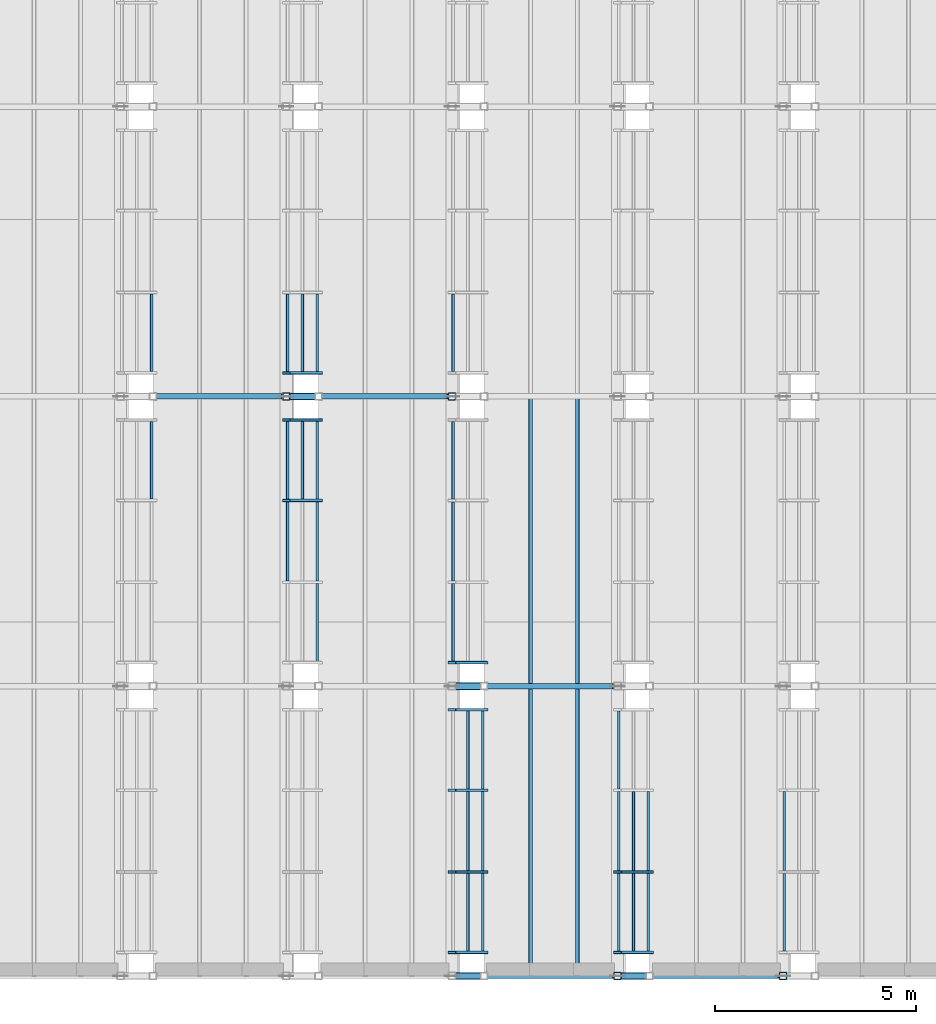
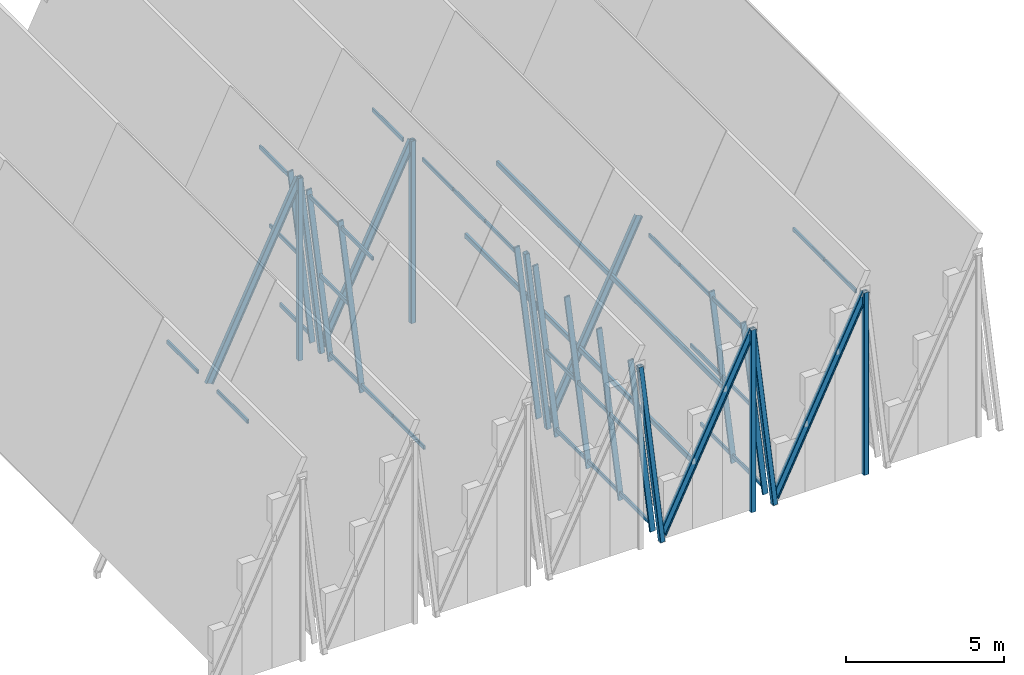
# One storey, part 3 of 28: 55 members, 9 elements without a shape of their own.
"""IFC4 building model written with IfcOpenShell, lengths in metres."""

from ifc_helpers import new_model, si_unit, direction, frame, origin, origin_2d, place, context, subcontext, project, spatial, hollow_rectangle, i_section, extrude, material, material_profile, profile_set, type_object, element, aggregate, save


model = new_model("IFC4")

# Units and contexts
model_context = context("Model", 3, precision=1e-05, world=origin(), true_north=direction((0.0, 1.0)))
body_context = subcontext(model_context, "Body", "Model", "MODEL_VIEW")
ifc_project = project(units=[si_unit("LENGTHUNIT", "METRE"), si_unit("AREAUNIT", "SQUARE_METRE"), si_unit("VOLUMEUNIT", "CUBIC_METRE"), si_unit("PLANEANGLEUNIT", "RADIAN"), si_unit("MASSUNIT", "GRAM", prefix="KILO")], contexts=[model_context])

# Site, building, storey
site_placement = place(None, origin())
site = spatial("IfcSite", under=ifc_project, at=site_placement, CompositionType="ELEMENT")
building_placement = place(site_placement, origin())
building = spatial("IfcBuilding", under=site, at=building_placement, Name="Bramveld Media Centre", CompositionType="ELEMENT")
storey_placement = place(building_placement, frame((0.0, 0.0, 33.89990234375)))
storey = spatial("IfcBuildingStorey", under=building, at=storey_placement, Name="ROOF", CompositionType="ELEMENT", Elevation=33.89990234375)

# Curtain wall, members
ifc_material_1 = material(Name="Thermally broken anodized bronze aluminium unitized curtain wall with solar-control triple glazing", Category="aluminium")
curtain_wall_type = type_object("IfcCurtainWallType", Name="CW-CRN-6100x6941", PredefinedType="NOTDEFINED", material=ifc_material_1)
curtain_wall_1_placement = place(storey_placement, origin())
curtain_wall_1 = element("IfcCurtainWall", 1, at=curtain_wall_1_placement, inside=storey, type_object=curtain_wall_type, Name="V7 crown clerestory B3-S2", PredefinedType="NOTDEFINED")
ifc_material_2 = material(Name="Thermally broken anodized bronze aluminium EN AW-6063 T6 curtain-wall framing", Category="aluminium")
ifc_material_profile_1 = material_profile(ifc_material_2, hollow_rectangle(XDim=0.070068359375, YDim=0.199951171875, WallThickness=0.00439453125, InnerFilletRadius=0.00439453125, OuterFilletRadius=0.009033203125, at=origin_2d()), Name="AL-MULL 70x200")
ifc_profile_set_1 = profile_set([ifc_material_profile_1], Name="Thermally broken anodized bronze aluminium EN AW-6063 T6 curtain-wall framing")
member_type_1 = type_object("IfcMemberType", Name="CW-MULL-SLP", PredefinedType="MULLION", material=ifc_profile_set_1)
member_1_placement = place(storey_placement, frame((143.54296875, 95.0166015625, -0.02001953125), z_axis=(-0.115263574492, 0.0, 0.993334942703), x_axis=(0.0, -1.0, 0.0)))
member_1 = element("IfcMember", 2, at=member_1_placement, type_object=member_type_1, Name="CW-CR-6169 sloped mullion 3", PredefinedType="MULLION", context=body_context, shape_type="SweptSolid", body=[
    extrude(hollow_rectangle(XDim=0.070068359375, YDim=0.199951171875, WallThickness=0.00439453125, InnerFilletRadius=0.00439453125, OuterFilletRadius=0.009033203125, at=origin_2d()), origin(), (0.0, 0.0, 1.0), 6.94091796875),
])
member_2_placement = place(storey_placement, frame((143.54296875, 97.014892578125, -0.02001953125), z_axis=(-0.115263574492, 0.0, 0.993334942703), x_axis=(0.0, -1.0, 0.0)))
member_2 = element("IfcMember", 3, at=member_2_placement, type_object=member_type_1, Name="CW-CR-6169 sloped mullion 4", PredefinedType="MULLION", context=body_context, shape_type="SweptSolid", body=[
    extrude(hollow_rectangle(XDim=0.070068359375, YDim=0.199951171875, WallThickness=0.00439453125, InnerFilletRadius=0.00439453125, OuterFilletRadius=0.009033203125, at=origin_2d()), origin(), (0.0, 0.0, 1.0), 6.94091796875),
])

# Curtain wall, member
curtain_wall_2_placement = place(storey_placement, origin())
curtain_wall_2 = element("IfcCurtainWall", 4, at=curtain_wall_2_placement, inside=storey, type_object=curtain_wall_type, Name="V7 crown clerestory B3-S3", PredefinedType="NOTDEFINED")
member_3_placement = place(storey_placement, frame((143.54296875, 98.18505859375, -0.02001953125), z_axis=(-0.115263574492, 0.0, 0.993334942703), x_axis=(0.0, -1.0, 0.0)))
member_3 = element("IfcMember", 5, at=member_3_placement, type_object=member_type_1, Name="CW-CR-6169 sloped mullion 1", PredefinedType="MULLION", context=body_context, shape_type="SweptSolid", body=[
    extrude(hollow_rectangle(XDim=0.070068359375, YDim=0.199951171875, WallThickness=0.00439453125, InnerFilletRadius=0.00439453125, OuterFilletRadius=0.009033203125, at=origin_2d()), origin(), (0.0, 0.0, 1.0), 6.94091796875),
])

# Curtain wall, members
curtain_wall_3_placement = place(storey_placement, origin())
curtain_wall_3 = element("IfcCurtainWall", 6, at=curtain_wall_3_placement, inside=storey, type_object=curtain_wall_type, Name="V7 crown clerestory B4-S1", PredefinedType="NOTDEFINED")
member_4_placement = place(storey_placement, frame((147.656982421875, 83.784912109375, -0.02001953125), z_axis=(-0.115228868081, 0.0, 0.993338969315), x_axis=(0.0, -1.0, 0.0)))
member_4 = element("IfcMember", 7, at=member_4_placement, type_object=member_type_1, Name="CW-CR-6169 sloped mullion 1", PredefinedType="MULLION", context=body_context, shape_type="SweptSolid", body=[
    extrude(hollow_rectangle(XDim=0.070068359375, YDim=0.199951171875, WallThickness=0.00439453125, InnerFilletRadius=0.00439453125, OuterFilletRadius=0.009033203125, at=origin_2d()), origin(), (0.0, 0.0, 1.0), 6.94091796875),
])
member_5_placement = place(storey_placement, frame((147.656982421875, 85.783203125, -0.02001953125), z_axis=(-0.115228868081, 0.0, 0.993338969315), x_axis=(0.0, -1.0, 0.0)))
member_5 = element("IfcMember", 8, at=member_5_placement, type_object=member_type_1, Name="CW-CR-6169 sloped mullion 2", PredefinedType="MULLION", context=body_context, shape_type="SweptSolid", body=[
    extrude(hollow_rectangle(XDim=0.070068359375, YDim=0.199951171875, WallThickness=0.00439453125, InnerFilletRadius=0.00439453125, OuterFilletRadius=0.009033203125, at=origin_2d()), origin(), (0.0, 0.0, 1.0), 6.94091796875),
])
member_6_placement = place(storey_placement, frame((147.656982421875, 87.816650390625, -0.02001953125), z_axis=(-0.115228868081, 0.0, 0.993338969315), x_axis=(0.0, -1.0, 0.0)))
member_6 = element("IfcMember", 9, at=member_6_placement, type_object=member_type_1, Name="CW-CR-6169 sloped mullion 3", PredefinedType="MULLION", context=body_context, shape_type="SweptSolid", body=[
    extrude(hollow_rectangle(XDim=0.070068359375, YDim=0.199951171875, WallThickness=0.00439453125, InnerFilletRadius=0.00439453125, OuterFilletRadius=0.009033203125, at=origin_2d()), origin(), (0.0, 0.0, 1.0), 6.94091796875),
])
member_7_placement = place(storey_placement, frame((147.656982421875, 89.81494140625, -0.02001953125), z_axis=(-0.115228868081, 0.0, 0.993338969315), x_axis=(0.0, -1.0, 0.0)))
member_7 = element("IfcMember", 10, at=member_7_placement, type_object=member_type_1, Name="CW-CR-6169 sloped mullion 4", PredefinedType="MULLION", context=body_context, shape_type="SweptSolid", body=[
    extrude(hollow_rectangle(XDim=0.070068359375, YDim=0.199951171875, WallThickness=0.00439453125, InnerFilletRadius=0.00439453125, OuterFilletRadius=0.009033203125, at=origin_2d()), origin(), (0.0, 0.0, 1.0), 6.94091796875),
])

# Curtain wall, member
curtain_wall_4_placement = place(storey_placement, origin())
curtain_wall_4 = element("IfcCurtainWall", 11, at=curtain_wall_4_placement, inside=storey, type_object=curtain_wall_type, Name="V7 crown clerestory B4-S2", PredefinedType="NOTDEFINED")
member_8_placement = place(storey_placement, frame((147.656982421875, 90.985107421875, -0.02001953125), z_axis=(-0.115228868081, 0.0, 0.993338969315), x_axis=(0.0, -1.0, 0.0)))
member_8 = element("IfcMember", 12, at=member_8_placement, type_object=member_type_1, Name="CW-CR-6169 sloped mullion 1", PredefinedType="MULLION", context=body_context, shape_type="SweptSolid", body=[
    extrude(hollow_rectangle(XDim=0.070068359375, YDim=0.199951171875, WallThickness=0.00439453125, InnerFilletRadius=0.00439453125, OuterFilletRadius=0.009033203125, at=origin_2d()), origin(), (0.0, 0.0, 1.0), 6.94091796875),
])

# Curtain wall, members
curtain_wall_5_placement = place(storey_placement, origin())
curtain_wall_5 = element("IfcCurtainWall", 13, at=curtain_wall_5_placement, inside=storey, type_object=curtain_wall_type, Name="V7 crown clerestory B5-S1", PredefinedType="NOTDEFINED")
member_9_placement = place(storey_placement, frame((151.771484375, 83.784912109375, -0.02001953125), z_axis=(-0.115263574492, 0.0, 0.993334942703), x_axis=(0.0, -1.0, 0.0)))
member_9 = element("IfcMember", 14, at=member_9_placement, type_object=member_type_1, Name="CW-CR-6169 sloped mullion 1", PredefinedType="MULLION", context=body_context, shape_type="SweptSolid", body=[
    extrude(hollow_rectangle(XDim=0.070068359375, YDim=0.199951171875, WallThickness=0.00439453125, InnerFilletRadius=0.00439453125, OuterFilletRadius=0.009033203125, at=origin_2d()), origin(), (0.0, 0.0, 1.0), 6.94091796875),
])
member_10_placement = place(storey_placement, frame((151.771484375, 85.783203125, -0.02001953125), z_axis=(-0.115263574492, 0.0, 0.993334942703), x_axis=(0.0, -1.0, 0.0)))
member_10 = element("IfcMember", 15, at=member_10_placement, type_object=member_type_1, Name="CW-CR-6169 sloped mullion 2", PredefinedType="MULLION", context=body_context, shape_type="SweptSolid", body=[
    extrude(hollow_rectangle(XDim=0.070068359375, YDim=0.199951171875, WallThickness=0.00439453125, InnerFilletRadius=0.00439453125, OuterFilletRadius=0.009033203125, at=origin_2d()), origin(), (0.0, 0.0, 1.0), 6.94091796875),
])

# Curtain wall, member
curtain_wall_6_placement = place(storey_placement, origin())
curtain_wall_6 = element("IfcCurtainWall", 16, at=curtain_wall_6_placement, inside=storey, type_object=curtain_wall_type, Name="V7 crown clerestory B2-S2", PredefinedType="NOTDEFINED")
ifc_material_3 = material(Name="Thermally broken anodized bronze aluminium EN AW-6063 T6 curtain-wall framing", Category="aluminium")
ifc_material_profile_2 = material_profile(ifc_material_3, hollow_rectangle(XDim=0.070068359375, YDim=0.14990234375, WallThickness=0.00390625, InnerFilletRadius=0.00390625, OuterFilletRadius=0.008056640625, at=origin_2d()), Name="AL-TRAN 70x150")
ifc_profile_set_2 = profile_set([ifc_material_profile_2], Name="Thermally broken anodized bronze aluminium EN AW-6063 T6 curtain-wall framing")
member_type_2 = type_object("IfcMemberType", Name="CW-TRAN-SLP", PredefinedType="USERDEFINED", material=ifc_profile_set_2)
member_11_placement = place(storey_placement, frame((139.396484375, 95.0517578125, 0.255859375), z_axis=(0.0, 1.0, 0.0), x_axis=(-1.0, 0.0, 0.0)))
member_11 = element("IfcMember", 17, at=member_11_placement, type_object=member_type_2, Name="CW-CR-6169 transom 3.1", ObjectType="TRANSOM", PredefinedType="USERDEFINED", context=body_context, shape_type="SweptSolid", body=[
    extrude(hollow_rectangle(XDim=0.070068359375, YDim=0.14990234375, WallThickness=0.00390625, InnerFilletRadius=0.00390625, OuterFilletRadius=0.008056640625, at=origin_2d()), origin(), (0.0, 0.0, 1.0), 1.92822265625),
])
aggregate(curtain_wall_6, [member_11])

curtain_wall_7_placement = place(storey_placement, origin())
curtain_wall_7 = element("IfcCurtainWall", 18, at=curtain_wall_7_placement, inside=storey, type_object=curtain_wall_type, Name="V7 crown clerestory B2-S3", PredefinedType="NOTDEFINED")
member_12_placement = place(storey_placement, frame((139.396484375, 98.219970703125, 0.255859375), z_axis=(0.0, 1.0, 0.0), x_axis=(-1.0, 0.0, 0.0)))
member_12 = element("IfcMember", 19, at=member_12_placement, type_object=member_type_2, Name="CW-CR-6169 transom 1.1", ObjectType="TRANSOM", PredefinedType="USERDEFINED", context=body_context, shape_type="SweptSolid", body=[
    extrude(hollow_rectangle(XDim=0.070068359375, YDim=0.14990234375, WallThickness=0.00390625, InnerFilletRadius=0.00390625, OuterFilletRadius=0.008056640625, at=origin_2d()), origin(), (0.0, 0.0, 1.0), 1.92822265625),
])
aggregate(curtain_wall_7, [member_12])

# Member
member_13_placement = place(storey_placement, frame((143.510986328125, 91.02001953125, 0.255859375), z_axis=(0.0, 1.0, 0.0), x_axis=(-1.0, 0.0, 0.0)))
member_13 = element("IfcMember", 20, at=member_13_placement, type_object=member_type_2, Name="CW-CR-6169 transom 1.1", ObjectType="TRANSOM", PredefinedType="USERDEFINED", context=body_context, shape_type="SweptSolid", body=[
    extrude(hollow_rectangle(XDim=0.070068359375, YDim=0.14990234375, WallThickness=0.00390625, InnerFilletRadius=0.00390625, OuterFilletRadius=0.008056640625, at=origin_2d()), origin(), (0.0, 0.0, 1.0), 1.92822265625),
])

member_14_placement = place(storey_placement, frame((143.510986328125, 93.018310546875, 0.255859375), z_axis=(0.0, 1.0, 0.0), x_axis=(-1.0, 0.0, 0.0)))
member_14 = element("IfcMember", 21, at=member_14_placement, type_object=member_type_2, Name="CW-CR-6169 transom 2.1", ObjectType="TRANSOM", PredefinedType="USERDEFINED", context=body_context, shape_type="SweptSolid", body=[
    extrude(hollow_rectangle(XDim=0.070068359375, YDim=0.14990234375, WallThickness=0.00390625, InnerFilletRadius=0.00390625, OuterFilletRadius=0.008056640625, at=origin_2d()), origin(), (0.0, 0.0, 1.0), 1.96337890625),
])

member_15_placement = place(storey_placement, frame((142.77490234375, 93.018310546875, 6.598876953125), z_axis=(0.0, 1.0, 0.0), x_axis=(-1.0, 0.0, 0.0)))
member_15 = element("IfcMember", 22, at=member_15_placement, type_object=member_type_2, Name="CW-CR-6169 transom 2.3", ObjectType="TRANSOM", PredefinedType="USERDEFINED", context=body_context, shape_type="SweptSolid", body=[
    extrude(hollow_rectangle(XDim=0.070068359375, YDim=0.14990234375, WallThickness=0.00390625, InnerFilletRadius=0.00390625, OuterFilletRadius=0.008056640625, at=origin_2d()), origin(), (0.0, 0.0, 1.0), 1.96337890625),
])

member_16_placement = place(storey_placement, frame((143.510986328125, 95.0517578125, 0.255859375), z_axis=(0.0, 1.0, 0.0), x_axis=(-1.0, 0.0, 0.0)))
member_16 = element("IfcMember", 23, at=member_16_placement, type_object=member_type_2, Name="CW-CR-6169 transom 3.1", ObjectType="TRANSOM", PredefinedType="USERDEFINED", context=body_context, shape_type="SweptSolid", body=[
    extrude(hollow_rectangle(XDim=0.070068359375, YDim=0.14990234375, WallThickness=0.00390625, InnerFilletRadius=0.00390625, OuterFilletRadius=0.008056640625, at=origin_2d()), origin(), (0.0, 0.0, 1.0), 1.92822265625),
])

member_17_placement = place(storey_placement, frame((143.142822265625, 95.0517578125, 3.427490234375), z_axis=(0.0, 1.0, 0.0), x_axis=(-1.0, 0.0, 0.0)))
member_17 = element("IfcMember", 24, at=member_17_placement, type_object=member_type_2, Name="CW-CR-6169 transom 3.2", ObjectType="TRANSOM", PredefinedType="USERDEFINED", context=body_context, shape_type="SweptSolid", body=[
    extrude(hollow_rectangle(XDim=0.070068359375, YDim=0.14990234375, WallThickness=0.00390625, InnerFilletRadius=0.00390625, OuterFilletRadius=0.008056640625, at=origin_2d()), origin(), (0.0, 0.0, 1.0), 1.92822265625),
])

member_18_placement = place(storey_placement, frame((142.77490234375, 95.0517578125, 6.598876953125), z_axis=(0.0, 1.0, 0.0), x_axis=(-1.0, 0.0, 0.0)))
member_18 = element("IfcMember", 25, at=member_18_placement, type_object=member_type_2, Name="CW-CR-6169 transom 3.3", ObjectType="TRANSOM", PredefinedType="USERDEFINED", context=body_context, shape_type="SweptSolid", body=[
    extrude(hollow_rectangle(XDim=0.070068359375, YDim=0.14990234375, WallThickness=0.00390625, InnerFilletRadius=0.00390625, OuterFilletRadius=0.008056640625, at=origin_2d()), origin(), (0.0, 0.0, 1.0), 1.92822265625),
])

aggregate(curtain_wall_1, [member_1, member_2, member_13, member_14, member_15, member_16, member_17, member_18])

member_19_placement = place(storey_placement, frame((143.510986328125, 98.219970703125, 0.255859375), z_axis=(0.0, 1.0, 0.0), x_axis=(-1.0, 0.0, 0.0)))
member_19 = element("IfcMember", 26, at=member_19_placement, type_object=member_type_2, Name="CW-CR-6169 transom 1.1", ObjectType="TRANSOM", PredefinedType="USERDEFINED", context=body_context, shape_type="SweptSolid", body=[
    extrude(hollow_rectangle(XDim=0.070068359375, YDim=0.14990234375, WallThickness=0.00390625, InnerFilletRadius=0.00390625, OuterFilletRadius=0.008056640625, at=origin_2d()), origin(), (0.0, 0.0, 1.0), 1.92822265625),
])

member_20_placement = place(storey_placement, frame((143.142822265625, 98.219970703125, 3.427490234375), z_axis=(0.0, 1.0, 0.0), x_axis=(-1.0, 0.0, 0.0)))
member_20 = element("IfcMember", 27, at=member_20_placement, type_object=member_type_2, Name="CW-CR-6169 transom 1.2", ObjectType="TRANSOM", PredefinedType="USERDEFINED", context=body_context, shape_type="SweptSolid", body=[
    extrude(hollow_rectangle(XDim=0.070068359375, YDim=0.14990234375, WallThickness=0.00390625, InnerFilletRadius=0.00390625, OuterFilletRadius=0.008056640625, at=origin_2d()), origin(), (0.0, 0.0, 1.0), 1.92822265625),
])

member_21_placement = place(storey_placement, frame((142.77490234375, 98.219970703125, 6.598876953125), z_axis=(0.0, 1.0, 0.0), x_axis=(-1.0, 0.0, 0.0)))
member_21 = element("IfcMember", 28, at=member_21_placement, type_object=member_type_2, Name="CW-CR-6169 transom 1.3", ObjectType="TRANSOM", PredefinedType="USERDEFINED", context=body_context, shape_type="SweptSolid", body=[
    extrude(hollow_rectangle(XDim=0.070068359375, YDim=0.14990234375, WallThickness=0.00390625, InnerFilletRadius=0.00390625, OuterFilletRadius=0.008056640625, at=origin_2d()), origin(), (0.0, 0.0, 1.0), 1.92822265625),
])

aggregate(curtain_wall_2, [member_3, member_19, member_20, member_21])

member_22_placement = place(storey_placement, frame((147.625, 83.820068359375, 0.255859375), z_axis=(0.0, 1.0, 0.0), x_axis=(-1.0, 0.0, 0.0)))
member_22 = element("IfcMember", 29, at=member_22_placement, type_object=member_type_2, Name="CW-CR-6169 transom 1.1", ObjectType="TRANSOM", PredefinedType="USERDEFINED", context=body_context, shape_type="SweptSolid", body=[
    extrude(hollow_rectangle(XDim=0.070068359375, YDim=0.14990234375, WallThickness=0.00390625, InnerFilletRadius=0.00390625, OuterFilletRadius=0.008056640625, at=origin_2d()), origin(), (0.0, 0.0, 1.0), 1.92822265625),
])

member_23_placement = place(storey_placement, frame((147.257080078125, 83.820068359375, 3.427490234375), z_axis=(0.0, 1.0, 0.0), x_axis=(-1.0, 0.0, 0.0)))
member_23 = element("IfcMember", 30, at=member_23_placement, type_object=member_type_2, Name="CW-CR-6169 transom 1.2", ObjectType="TRANSOM", PredefinedType="USERDEFINED", context=body_context, shape_type="SweptSolid", body=[
    extrude(hollow_rectangle(XDim=0.070068359375, YDim=0.14990234375, WallThickness=0.00390625, InnerFilletRadius=0.00390625, OuterFilletRadius=0.008056640625, at=origin_2d()), origin(), (0.0, 0.0, 1.0), 1.92822265625),
])

member_24_placement = place(storey_placement, frame((147.625, 85.818359375, 0.255859375), z_axis=(0.0, 1.0, 0.0), x_axis=(-1.0, 0.0, 0.0)))
member_24 = element("IfcMember", 31, at=member_24_placement, type_object=member_type_2, Name="CW-CR-6169 transom 2.1", ObjectType="TRANSOM", PredefinedType="USERDEFINED", context=body_context, shape_type="SweptSolid", body=[
    extrude(hollow_rectangle(XDim=0.070068359375, YDim=0.14990234375, WallThickness=0.00390625, InnerFilletRadius=0.00390625, OuterFilletRadius=0.008056640625, at=origin_2d()), origin(), (0.0, 0.0, 1.0), 1.96337890625),
])

member_25_placement = place(storey_placement, frame((147.257080078125, 85.818359375, 3.427490234375), z_axis=(0.0, 1.0, 0.0), x_axis=(-1.0, 0.0, 0.0)))
member_25 = element("IfcMember", 32, at=member_25_placement, type_object=member_type_2, Name="CW-CR-6169 transom 2.2", ObjectType="TRANSOM", PredefinedType="USERDEFINED", context=body_context, shape_type="SweptSolid", body=[
    extrude(hollow_rectangle(XDim=0.070068359375, YDim=0.14990234375, WallThickness=0.00390625, InnerFilletRadius=0.00390625, OuterFilletRadius=0.008056640625, at=origin_2d()), origin(), (0.0, 0.0, 1.0), 1.96337890625),
])

member_26_placement = place(storey_placement, frame((147.625, 87.851806640625, 0.255859375), z_axis=(0.0, 1.0, 0.0), x_axis=(-1.0, 0.0, 0.0)))
member_26 = element("IfcMember", 33, at=member_26_placement, type_object=member_type_2, Name="CW-CR-6169 transom 3.1", ObjectType="TRANSOM", PredefinedType="USERDEFINED", context=body_context, shape_type="SweptSolid", body=[
    extrude(hollow_rectangle(XDim=0.070068359375, YDim=0.14990234375, WallThickness=0.00390625, InnerFilletRadius=0.00390625, OuterFilletRadius=0.008056640625, at=origin_2d()), origin(), (0.0, 0.0, 1.0), 1.92822265625),
])

member_27_placement = place(storey_placement, frame((147.257080078125, 87.851806640625, 3.427490234375), z_axis=(0.0, 1.0, 0.0), x_axis=(-1.0, 0.0, 0.0)))
member_27 = element("IfcMember", 34, at=member_27_placement, type_object=member_type_2, Name="CW-CR-6169 transom 3.2", ObjectType="TRANSOM", PredefinedType="USERDEFINED", context=body_context, shape_type="SweptSolid", body=[
    extrude(hollow_rectangle(XDim=0.070068359375, YDim=0.14990234375, WallThickness=0.00390625, InnerFilletRadius=0.00390625, OuterFilletRadius=0.008056640625, at=origin_2d()), origin(), (0.0, 0.0, 1.0), 1.92822265625),
])

aggregate(curtain_wall_3, [member_4, member_5, member_6, member_7, member_22, member_23, member_24, member_25, member_26, member_27])

member_28_placement = place(storey_placement, frame((146.88916015625, 91.02001953125, 6.598876953125), z_axis=(0.0, 1.0, 0.0), x_axis=(-1.0, 0.0, 0.0)))
member_28 = element("IfcMember", 35, at=member_28_placement, type_object=member_type_2, Name="CW-CR-6169 transom 1.3", ObjectType="TRANSOM", PredefinedType="USERDEFINED", context=body_context, shape_type="SweptSolid", body=[
    extrude(hollow_rectangle(XDim=0.070068359375, YDim=0.14990234375, WallThickness=0.00390625, InnerFilletRadius=0.00390625, OuterFilletRadius=0.008056640625, at=origin_2d()), origin(), (0.0, 0.0, 1.0), 1.92822265625),
])

member_29_placement = place(storey_placement, frame((146.88916015625, 93.018310546875, 6.598876953125), z_axis=(0.0, 1.0, 0.0), x_axis=(-1.0, 0.0, 0.0)))
member_29 = element("IfcMember", 36, at=member_29_placement, type_object=member_type_2, Name="CW-CR-6169 transom 2.3", ObjectType="TRANSOM", PredefinedType="USERDEFINED", context=body_context, shape_type="SweptSolid", body=[
    extrude(hollow_rectangle(XDim=0.070068359375, YDim=0.14990234375, WallThickness=0.00390625, InnerFilletRadius=0.00390625, OuterFilletRadius=0.008056640625, at=origin_2d()), origin(), (0.0, 0.0, 1.0), 1.96337890625),
])

member_30_placement = place(storey_placement, frame((146.88916015625, 95.0517578125, 6.598876953125), z_axis=(0.0, 1.0, 0.0), x_axis=(-1.0, 0.0, 0.0)))
member_30 = element("IfcMember", 37, at=member_30_placement, type_object=member_type_2, Name="CW-CR-6169 transom 3.3", ObjectType="TRANSOM", PredefinedType="USERDEFINED", context=body_context, shape_type="SweptSolid", body=[
    extrude(hollow_rectangle(XDim=0.070068359375, YDim=0.14990234375, WallThickness=0.00390625, InnerFilletRadius=0.00390625, OuterFilletRadius=0.008056640625, at=origin_2d()), origin(), (0.0, 0.0, 1.0), 1.92822265625),
])

aggregate(curtain_wall_4, [member_8, member_28, member_29, member_30])

# Curtain wall, member
curtain_wall_8_placement = place(storey_placement, origin())
curtain_wall_8 = element("IfcCurtainWall", 38, at=curtain_wall_8_placement, inside=storey, type_object=curtain_wall_type, Name="V7 crown clerestory B4-S3", PredefinedType="NOTDEFINED")
member_31_placement = place(storey_placement, frame((146.88916015625, 98.219970703125, 6.598876953125), z_axis=(0.0, 1.0, 0.0), x_axis=(-1.0, 0.0, 0.0)))
member_31 = element("IfcMember", 39, at=member_31_placement, type_object=member_type_2, Name="CW-CR-6169 transom 1.3", ObjectType="TRANSOM", PredefinedType="USERDEFINED", context=body_context, shape_type="SweptSolid", body=[
    extrude(hollow_rectangle(XDim=0.070068359375, YDim=0.14990234375, WallThickness=0.00390625, InnerFilletRadius=0.00390625, OuterFilletRadius=0.008056640625, at=origin_2d()), origin(), (0.0, 0.0, 1.0), 1.92822265625),
])
aggregate(curtain_wall_8, [member_31])

# Member
member_32_placement = place(storey_placement, frame((151.739501953125, 83.820068359375, 0.255859375), z_axis=(0.0, 1.0, 0.0), x_axis=(-1.0, 0.0, 0.0)))
member_32 = element("IfcMember", 40, at=member_32_placement, type_object=member_type_2, Name="CW-CR-6169 transom 1.1", ObjectType="TRANSOM", PredefinedType="USERDEFINED", context=body_context, shape_type="SweptSolid", body=[
    extrude(hollow_rectangle(XDim=0.070068359375, YDim=0.14990234375, WallThickness=0.00390625, InnerFilletRadius=0.00390625, OuterFilletRadius=0.008056640625, at=origin_2d()), origin(), (0.0, 0.0, 1.0), 1.92822265625),
])

member_33_placement = place(storey_placement, frame((151.371337890625, 83.820068359375, 3.427490234375), z_axis=(0.0, 1.0, 0.0), x_axis=(-1.0, 0.0, 0.0)))
member_33 = element("IfcMember", 41, at=member_33_placement, type_object=member_type_2, Name="CW-CR-6169 transom 1.2", ObjectType="TRANSOM", PredefinedType="USERDEFINED", context=body_context, shape_type="SweptSolid", body=[
    extrude(hollow_rectangle(XDim=0.070068359375, YDim=0.14990234375, WallThickness=0.00390625, InnerFilletRadius=0.00390625, OuterFilletRadius=0.008056640625, at=origin_2d()), origin(), (0.0, 0.0, 1.0), 1.92822265625),
])

member_34_placement = place(storey_placement, frame((151.00341796875, 83.820068359375, 6.598876953125), z_axis=(0.0, 1.0, 0.0), x_axis=(-1.0, 0.0, 0.0)))
member_34 = element("IfcMember", 42, at=member_34_placement, type_object=member_type_2, Name="CW-CR-6169 transom 1.3", ObjectType="TRANSOM", PredefinedType="USERDEFINED", context=body_context, shape_type="SweptSolid", body=[
    extrude(hollow_rectangle(XDim=0.070068359375, YDim=0.14990234375, WallThickness=0.00390625, InnerFilletRadius=0.00390625, OuterFilletRadius=0.008056640625, at=origin_2d()), origin(), (0.0, 0.0, 1.0), 1.92822265625),
])

member_35_placement = place(storey_placement, frame((151.739501953125, 85.818359375, 0.255859375), z_axis=(0.0, 1.0, 0.0), x_axis=(-1.0, 0.0, 0.0)))
member_35 = element("IfcMember", 43, at=member_35_placement, type_object=member_type_2, Name="CW-CR-6169 transom 2.1", ObjectType="TRANSOM", PredefinedType="USERDEFINED", context=body_context, shape_type="SweptSolid", body=[
    extrude(hollow_rectangle(XDim=0.070068359375, YDim=0.14990234375, WallThickness=0.00390625, InnerFilletRadius=0.00390625, OuterFilletRadius=0.008056640625, at=origin_2d()), origin(), (0.0, 0.0, 1.0), 1.96337890625),
])

member_36_placement = place(storey_placement, frame((151.371337890625, 85.818359375, 3.427490234375), z_axis=(0.0, 1.0, 0.0), x_axis=(-1.0, 0.0, 0.0)))
member_36 = element("IfcMember", 44, at=member_36_placement, type_object=member_type_2, Name="CW-CR-6169 transom 2.2", ObjectType="TRANSOM", PredefinedType="USERDEFINED", context=body_context, shape_type="SweptSolid", body=[
    extrude(hollow_rectangle(XDim=0.070068359375, YDim=0.14990234375, WallThickness=0.00390625, InnerFilletRadius=0.00390625, OuterFilletRadius=0.008056640625, at=origin_2d()), origin(), (0.0, 0.0, 1.0), 1.96337890625),
])

member_37_placement = place(storey_placement, frame((151.00341796875, 85.818359375, 6.598876953125), z_axis=(0.0, 1.0, 0.0), x_axis=(-1.0, 0.0, 0.0)))
member_37 = element("IfcMember", 45, at=member_37_placement, type_object=member_type_2, Name="CW-CR-6169 transom 2.3", ObjectType="TRANSOM", PredefinedType="USERDEFINED", context=body_context, shape_type="SweptSolid", body=[
    extrude(hollow_rectangle(XDim=0.070068359375, YDim=0.14990234375, WallThickness=0.00390625, InnerFilletRadius=0.00390625, OuterFilletRadius=0.008056640625, at=origin_2d()), origin(), (0.0, 0.0, 1.0), 1.96337890625),
])

member_38_placement = place(storey_placement, frame((151.00341796875, 87.851806640625, 6.598876953125), z_axis=(0.0, 1.0, 0.0), x_axis=(-1.0, 0.0, 0.0)))
member_38 = element("IfcMember", 46, at=member_38_placement, type_object=member_type_2, Name="CW-CR-6169 transom 3.3", ObjectType="TRANSOM", PredefinedType="USERDEFINED", context=body_context, shape_type="SweptSolid", body=[
    extrude(hollow_rectangle(XDim=0.070068359375, YDim=0.14990234375, WallThickness=0.00390625, InnerFilletRadius=0.00390625, OuterFilletRadius=0.008056640625, at=origin_2d()), origin(), (0.0, 0.0, 1.0), 1.92822265625),
])

aggregate(curtain_wall_5, [member_9, member_10, member_32, member_33, member_34, member_35, member_36, member_37, member_38])

# Curtain wall, members
curtain_wall_9_placement = place(storey_placement, origin())
curtain_wall_9 = element("IfcCurtainWall", 47, at=curtain_wall_9_placement, inside=storey, type_object=curtain_wall_type, Name="V7 crown clerestory B6-S1", PredefinedType="NOTDEFINED")
member_39_placement = place(storey_placement, frame((155.11767578125, 83.820068359375, 6.598876953125), z_axis=(0.0, 1.0, 0.0), x_axis=(-1.0, 0.0, 0.0)))
member_39 = element("IfcMember", 48, at=member_39_placement, type_object=member_type_2, Name="CW-CR-6169 transom 1.3", ObjectType="TRANSOM", PredefinedType="USERDEFINED", context=body_context, shape_type="SweptSolid", body=[
    extrude(hollow_rectangle(XDim=0.070068359375, YDim=0.14990234375, WallThickness=0.00390625, InnerFilletRadius=0.00390625, OuterFilletRadius=0.008056640625, at=origin_2d()), origin(), (0.0, 0.0, 1.0), 1.92822265625),
])
member_40_placement = place(storey_placement, frame((155.11767578125, 85.818359375, 6.598876953125), z_axis=(0.0, 1.0, 0.0), x_axis=(-1.0, 0.0, 0.0)))
member_40 = element("IfcMember", 49, at=member_40_placement, type_object=member_type_2, Name="CW-CR-6169 transom 2.3", ObjectType="TRANSOM", PredefinedType="USERDEFINED", context=body_context, shape_type="SweptSolid", body=[
    extrude(hollow_rectangle(XDim=0.070068359375, YDim=0.14990234375, WallThickness=0.00390625, InnerFilletRadius=0.00390625, OuterFilletRadius=0.008056640625, at=origin_2d()), origin(), (0.0, 0.0, 1.0), 1.96337890625),
])
aggregate(curtain_wall_9, [member_39, member_40])

# Members
ifc_material_4 = material(Name="Steel S355J2H", Category="steel")
ifc_material_profile_3 = material_profile(ifc_material_4, hollow_rectangle(XDim=0.179931640625, YDim=0.179931640625, WallThickness=0.010009765625, InnerFilletRadius=0.010009765625, OuterFilletRadius=0.02001953125, at=origin_2d()), Name="SHS 180x180x10")
ifc_profile_set_3 = profile_set([ifc_material_profile_3], Name="Steel S355J2H")
member_type_3 = type_object("IfcMemberType", Name="MEM-POST-SHS180", PredefinedType="POST", material=ifc_profile_set_3)
for number, where, z_axis, x_axis, name in (
    (50, (142.742919921875, 97.60009765625, -0.0498046875), (0.0, 0.0, 1.0), (1.0, 0.0, 0.0), "CRN-FR-B03-F3 gable kingpost"),
    (51, (146.857177734375, 97.60009765625, -0.0498046875), (0.0, 0.0, 1.0), (1.0, 0.0, 0.0), "CRN-FR-B04-F3 gable kingpost"),
    (52, (150.971435546875, 83.199951171875, -0.0498046875), (0.0, 0.0, 1.0), (1.0, 0.0, 0.0), "CRN-FR-B05-F1 gable kingpost"),
    (53, (155.085693359375, 83.199951171875, -0.0498046875), (0.0, 0.0, 1.0), (1.0, 0.0, 0.0), "CRN-FR-B06-F1 gable kingpost"),
):
    element("IfcMember", number, at=place(storey_placement, frame(where, z_axis=z_axis, x_axis=x_axis)), inside=storey, type_object=member_type_3, Name=name, PredefinedType="POST", context=body_context, shape_type="SweptSolid", body=[
        extrude(hollow_rectangle(XDim=0.179931640625, YDim=0.179931640625, WallThickness=0.010009765625, InnerFilletRadius=0.010009765625, OuterFilletRadius=0.02001953125, at=origin_2d()), origin(), (0.0, 0.0, 1.0), 7.044677734375),
    ])
ifc_material_5 = material(Name="Steel S355J2H", Category="steel")
ifc_material_profile_4 = material_profile(ifc_material_5, hollow_rectangle(XDim=0.10009765625, YDim=0.199951171875, WallThickness=0.008056640625, InnerFilletRadius=0.008056640625, OuterFilletRadius=0.01611328125, at=origin_2d()), Name="RHS 200x100x8")
ifc_profile_set_4 = profile_set([ifc_material_profile_4], Name="Steel S355J2H")
member_type_4 = type_object("IfcMemberType", Name="MEM-PURLIN-RHS200", PredefinedType="PURLIN", material=ifc_profile_set_4)
for number, where, z_axis, x_axis, name in (
    (54, (148.817138671875, 83.199951171875, 2.61083984375), (0.0, 1.0, 0.0), (-1.0, 0.0, 0.0), "V7 crown gable purlin"),
    (55, (149.97705078125, 83.199951171875, 4.997802734375), (0.0, 1.0, 0.0), (-1.0, 0.0, 0.0), "V7 crown gable purlin"),
):
    element("IfcMember", number, at=place(storey_placement, frame(where, z_axis=z_axis, x_axis=x_axis)), inside=storey, type_object=member_type_4, Name=name, PredefinedType="PURLIN", context=body_context, shape_type="SweptSolid", body=[
        extrude(hollow_rectangle(XDim=0.10009765625, YDim=0.199951171875, WallThickness=0.008056640625, InnerFilletRadius=0.008056640625, OuterFilletRadius=0.01611328125, at=origin_2d()), origin(), (0.0, 0.0, 1.0), 14.400146484375),
    ])
ifc_material_6 = material(Name="Steel S355J2", Category="steel")
ifc_material_profile_5 = material_profile(ifc_material_6, i_section(OverallWidth=0.135009765625, OverallDepth=0.27001953125, WebThickness=0.006591796875, FlangeThickness=0.01025390625, FilletRadius=0.014892578125, at=origin_2d()), Name="IPE 270")
ifc_profile_set_5 = profile_set([ifc_material_profile_5], Name="Steel S355J2")
member_type_5 = type_object("IfcMemberType", Name="MEM-RAFTER-IPE270", PredefinedType="RAFTER", material=ifc_profile_set_5)
for number, where, z_axis, x_axis, name in (
    (56, (139.4287109375, 97.60009765625, 0.1748046875), (0.437075147934, 0.0, 0.899424991347), (0.0, 1.0, 0.0), "CRN-FR-B03-F3 gable rafter"),
    (57, (143.54296875, 97.60009765625, 0.1748046875), (0.437075147934, 0.0, 0.899424991347), (0.0, 1.0, 0.0), "CRN-FR-B04-F3 gable rafter"),
    (58, (147.656982421875, 83.199951171875, 0.1748046875), (0.437101193692, 0.0, 0.899412333956), (0.0, 1.0, 0.0), "CRN-FR-B05-F1 gable rafter"),
    (59, (147.656982421875, 90.39990234375, 0.1748046875), (0.437101193692, 0.0, 0.899412333956), (0.0, 1.0, 0.0), "CRN-FR-B05-F2 gable rafter"),
    (60, (151.771484375, 83.199951171875, 0.1748046875), (0.437075147934, 0.0, 0.899424991347), (0.0, 1.0, 0.0), "CRN-FR-B06-F1 gable rafter"),
):
    element("IfcMember", number, at=place(storey_placement, frame(where, z_axis=z_axis, x_axis=x_axis)), inside=storey, type_object=member_type_5, Name=name, PredefinedType="RAFTER", context=body_context, shape_type="SweptSolid", body=[
        extrude(i_section(OverallWidth=0.135009765625, OverallDepth=0.27001953125, WebThickness=0.006591796875, FlangeThickness=0.01025390625, FilletRadius=0.014892578125, at=origin_2d()), origin(), (0.0, 0.0, 1.0), 7.582763671875),
    ])
ifc_material_7 = material(Name="Steel S355J2H", Category="steel")
ifc_material_profile_6 = material_profile(ifc_material_7, hollow_rectangle(XDim=0.179931640625, YDim=0.179931640625, WallThickness=0.010009765625, InnerFilletRadius=0.010009765625, OuterFilletRadius=0.02001953125, at=origin_2d()), Name="SHS 180x180x10")
ifc_profile_set_6 = profile_set([ifc_material_profile_6], Name="Steel S355J2H")
member_type_6 = type_object("IfcMemberType", Name="MEM-STRUT-SHS180", PredefinedType="STRUT", material=ifc_profile_set_6)
for number, where, z_axis, x_axis, name in (
    (61, (143.54296875, 97.60009765625, -0.0498046875), (-0.112842469029, 0.0, 0.993612891011), (0.0, -1.0, 0.0), "CRN-FR-B03-F3 gable strut"),
    (62, (147.656982421875, 83.199951171875, -0.0498046875), (-0.112808472616, 0.0, 0.993616751321), (0.0, -1.0, 0.0), "CRN-FR-B04-F1 gable strut"),
    (63, (147.656982421875, 90.39990234375, -0.0498046875), (-0.112808472616, 0.0, 0.993616751321), (0.0, -1.0, 0.0), "CRN-FR-B04-F2 gable strut"),
    (64, (151.771484375, 83.199951171875, -0.0498046875), (-0.112842469029, 0.0, 0.993612891011), (0.0, -1.0, 0.0), "CRN-FR-B05-F1 gable strut"),
):
    element("IfcMember", number, at=place(storey_placement, frame(where, z_axis=z_axis, x_axis=x_axis)), inside=storey, type_object=member_type_6, Name=name, PredefinedType="STRUT", context=body_context, shape_type="SweptSolid", body=[
        extrude(hollow_rectangle(XDim=0.179931640625, YDim=0.179931640625, WallThickness=0.010009765625, InnerFilletRadius=0.010009765625, OuterFilletRadius=0.02001953125, at=origin_2d()), origin(), (0.0, 0.0, 1.0), 7.08984375),
    ])

save(model, "model.ifc")
